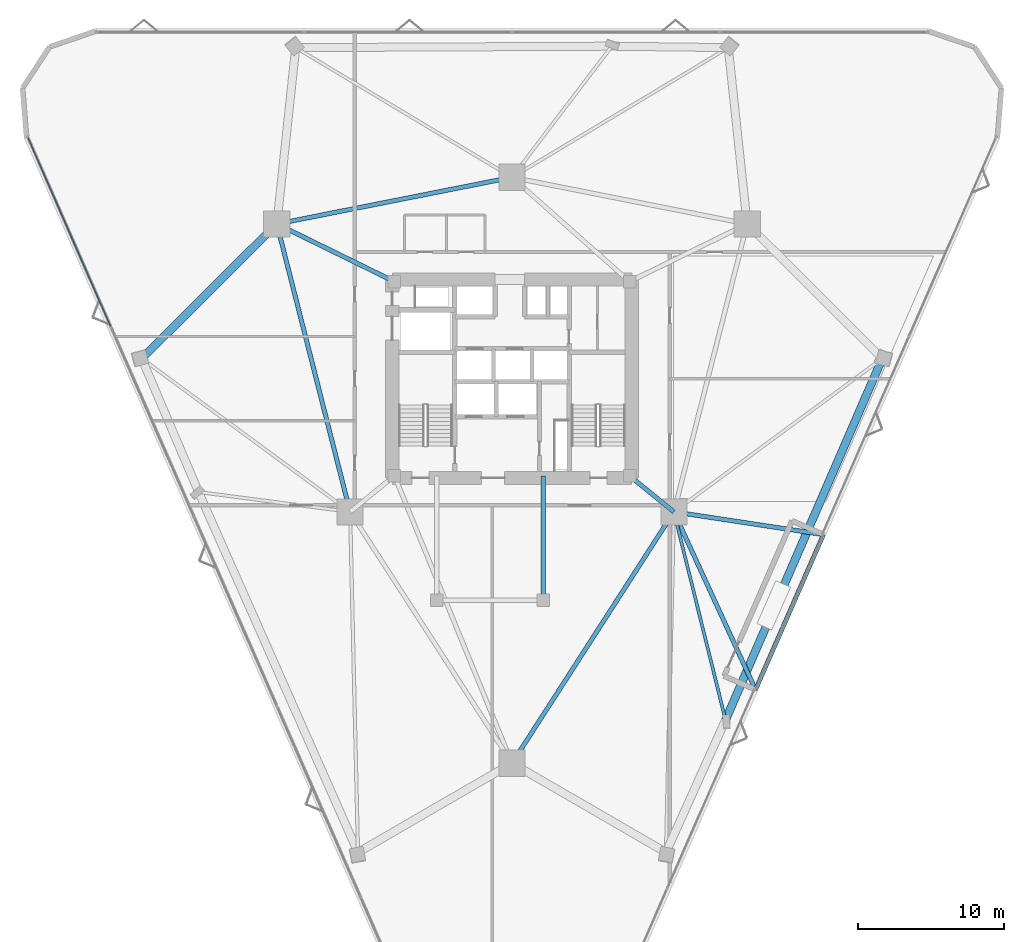
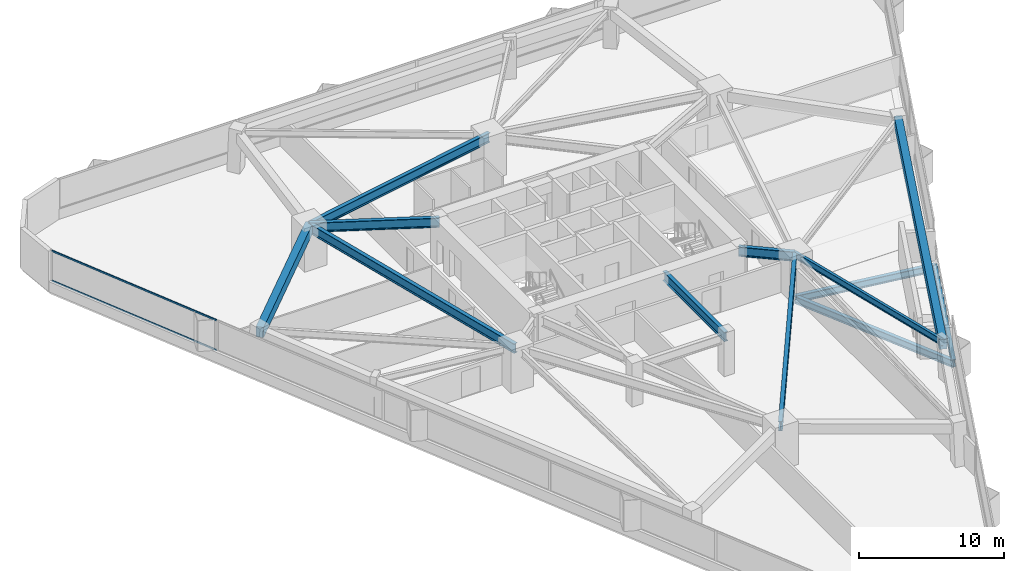
# One storey, part 5 of 16: 12 beams, 2 members, 1 element without a shape of its own.
"""IFC4 building model written with IfcOpenShell, lengths in metres."""

import ifcopenshell
import ifcopenshell.guid

model = None  # the IFC model being written
_history = None  # IfcOwnerHistory: only IFC2X3 demands one
_inside = {}  # id of a spatial element -> (the spatial element, [elements in it])
_under = {}  # id of a project, library or spatial element -> (it, [spatial elements below it])
_declared = {}  # id of a project -> (the project, [libraries it declares])
_typed = {}  # id of a type object -> (the type object, [elements of that type])
_made_of = {}  # id of a material, layer set ... -> (it, [elements and type objects made of it])


def new_model(schema):
    """Start an empty IFC model of exactly this schema.

    Asked for "IFC4X3", IfcOpenShell would pick the latest addendum, in which some entities
    have other attributes; the version numbers below select the first issue.
    IFC2X3 requires an IfcOwnerHistory on every rooted entity: one is made here for all.
    """
    global model, _history
    if schema == "IFC4X3":
        model = ifcopenshell.file(schema_version=(4, 3, 0, 0))
    else:
        model = ifcopenshell.file(schema=schema)
    _inside.clear()
    _under.clear()
    _declared.clear()
    _typed.clear()
    _made_of.clear()
    _history = None
    if model.schema == "IFC2X3":
        org = make("IfcOrganization", Name="unknown")
        user = make(
            "IfcPersonAndOrganization",
            ThePerson=make("IfcPerson", FamilyName="unknown"),
            TheOrganization=org,
        )
        app = make(
            "IfcApplication",
            ApplicationDeveloper=org,
            Version="unknown",
            ApplicationFullName="unknown",
            ApplicationIdentifier="unknown",
        )
        _history = make(
            "IfcOwnerHistory",
            OwningUser=user,
            OwningApplication=app,
            ChangeAction="ADDED",
            CreationDate=0,
        )
    return model


def make(cls, **values):
    """One entity of the class cls with the attributes given. An attribute that is None is left unset."""
    return model.create_entity(
        cls, **{name: value for name, value in values.items() if value is not None}
    )


def rooted(cls, **values):
    """An entity with a GlobalId (a new one), such as an element, a storey or a relation."""
    return make(cls, GlobalId=ifcopenshell.guid.new(), OwnerHistory=_history, **values)


def si_unit(unit_type, name, prefix=None):
    """IfcSIUnit, for example si_unit("LENGTHUNIT", "METRE", prefix="MILLI")."""
    return make("IfcSIUnit", UnitType=unit_type, Prefix=prefix, Name=name)


def assignment(units):
    """IfcUnitAssignment: the units of a project."""
    return None if units is None else make("IfcUnitAssignment", Units=units)


def point(xyz):
    """IfcCartesianPoint."""
    return None if xyz is None else make("IfcCartesianPoint", Coordinates=xyz)


def direction(xyz):
    """IfcDirection."""
    return None if xyz is None else make("IfcDirection", DirectionRatios=xyz)


def frame(location, z_axis=None, x_axis=None):
    """IfcAxis2Placement3D, a coordinate frame: its origin and axes. An axis left out is left unset."""
    return make(
        "IfcAxis2Placement3D",
        Location=point(location),
        Axis=direction(z_axis),
        RefDirection=direction(x_axis),
    )


def frame_2d(location, x_axis=None):
    """IfcAxis2Placement2D, a coordinate frame in the plane: its origin and x axis."""
    return make(
        "IfcAxis2Placement2D", Location=point(location), RefDirection=direction(x_axis)
    )


def origin():
    """The frame at (0, 0, 0) with its axes left unset."""
    return frame((0.0, 0.0, 0.0))


def origin_2d():
    """The frame at (0, 0) in the plane with its x axis left unset."""
    return frame_2d((0.0, 0.0))


def place(relative_to, where):
    """IfcLocalPlacement: puts the frame where relative to a parent placement (None: the world)."""
    return make(
        "IfcLocalPlacement", PlacementRelTo=relative_to, RelativePlacement=where
    )


def context(
    kind, dimensions, precision=None, world=None, true_north=None, identifier=None
):
    """IfcGeometricRepresentationContext, for example the 3D "Model" context."""
    return make(
        "IfcGeometricRepresentationContext",
        ContextIdentifier=identifier,
        ContextType=kind,
        CoordinateSpaceDimension=dimensions,
        Precision=precision,
        WorldCoordinateSystem=world,
        TrueNorth=true_north,
    )


def subcontext(parent, identifier, kind, view, scale=None):
    """IfcGeometricRepresentationSubContext, for example "Body" below "Model"."""
    return make(
        "IfcGeometricRepresentationSubContext",
        ContextIdentifier=identifier,
        ContextType=kind,
        ParentContext=parent,
        TargetScale=scale,
        TargetView=view,
    )


def project(units=None, contexts=None):
    """IfcProject with its units and contexts."""
    return rooted(
        "IfcProject",
        Name="project",
        RepresentationContexts=contexts,
        UnitsInContext=assignment(units),
    )


def spatial(cls, under=None, at=None, **own):
    """A site, building, storey or space (cls), placed at a placement, below another one or the project."""
    s = rooted(cls, ObjectPlacement=at, **own)
    if under is not None:
        _under.setdefault(under.id(), (under, []))[1].append(s)
    return s


def profile(cls, at=None, kind="AREA", **sizes):
    """A parametric profile (cls). Its sizes go by their IFC names, for example OverallWidth=200.0."""
    return make(cls, ProfileType=kind, Position=at, **sizes)


def rectangle(**sizes):
    """IfcRectangleProfileDef."""
    return profile("IfcRectangleProfileDef", **sizes)


def i_section(**sizes):
    """IfcIShapeProfileDef."""
    return profile("IfcIShapeProfileDef", **sizes)


def extrude(swept, where, along, depth):
    """IfcExtrudedAreaSolid: the profile swept, set in the frame where, extruded along a direction by depth."""
    return make(
        "IfcExtrudedAreaSolid",
        SweptArea=swept,
        Position=where,
        ExtrudedDirection=direction(along),
        Depth=depth,
    )


def shape(context_of_items, identifier, shape_type, items):
    """IfcShapeRepresentation: the items that make up one representation, for example the "Body"."""
    return make(
        "IfcShapeRepresentation",
        ContextOfItems=context_of_items,
        RepresentationIdentifier=identifier,
        RepresentationType=shape_type,
        Items=items,
    )


def material(Name=None, Category=None):
    """IfcMaterial."""
    return make("IfcMaterial", Name=Name, Category=Category)


def layer(
    of_material, thickness, ventilated=None, Name=None, Category=None, Priority=None
):
    """IfcMaterialLayer: one layer of a wall or slab, of a material (None: an air gap)."""
    return make(
        "IfcMaterialLayer",
        Material=of_material,
        LayerThickness=thickness,
        IsVentilated=ventilated,
        Name=Name,
        Category=Category,
        Priority=Priority,
    )


def layer_set(layers, Name=None):
    """IfcMaterialLayerSet."""
    return make("IfcMaterialLayerSet", MaterialLayers=layers, LayerSetName=Name)


def material_profile(
    of_material, cross_section, Name=None, Category=None, Priority=None
):
    """IfcMaterialProfile: a cross section and its material."""
    return make(
        "IfcMaterialProfile",
        Name=Name,
        Material=of_material,
        Profile=cross_section,
        Priority=Priority,
        Category=Category,
    )


def profile_set(profiles, Name=None, composite=None):
    """IfcMaterialProfileSet."""
    return make(
        "IfcMaterialProfileSet",
        Name=Name,
        MaterialProfiles=profiles,
        CompositeProfile=composite,
    )


def made_of(thing, what):
    """Note that an element or type object is made of a material, layer set ...; save() writes the relation."""
    if what is not None:
        _made_of.setdefault(what.id(), (what, []))[1].append(thing)
    return thing


def type_object(cls, material=None, **own):
    """A type object (cls), such as IfcWallType, which elements share."""
    return made_of(rooted(cls, **own), material)


def element(
    cls,
    number,
    at=None,
    inside=None,
    cuts=None,
    type_object=None,
    material=None,
    context=None,
    identifier="Body",
    shape_type=None,
    held_by="IfcProductDefinitionShape",
    body=None,
    shapes=None,
    **own,
):
    """One element of the class cls, such as IfcWall. Its Tag is "e" and its number.

    at: its placement. inside: the storey or other place that contains it. cuts: it is an
    opening in that element (IfcRelVoidsElement). A single representation is given by context,
    identifier, shape_type and body (its items); several are given by shapes. held_by: the class
    of the entity that holds the representations. save() writes the other relations.
    """
    e = rooted(cls, Tag="e%d" % number, ObjectPlacement=at, **own)
    if body is not None:
        shapes = [shape(context, identifier, shape_type, body)]
    if shapes is not None:
        e.Representation = make(held_by, Representations=shapes)
    if inside is not None:
        _inside.setdefault(inside.id(), (inside, []))[1].append(e)
    if cuts is not None:
        rooted(
            "IfcRelVoidsElement", RelatingBuildingElement=cuts, RelatedOpeningElement=e
        )
    if type_object is not None:
        _typed.setdefault(type_object.id(), (type_object, []))[1].append(e)
    return made_of(e, material)


def aggregate(whole, parts):
    """IfcRelAggregates: a whole, such as a stair, and the parts it consists of."""
    return rooted("IfcRelAggregates", RelatingObject=whole, RelatedObjects=parts)


def save(model, path):
    """Write the relations noted so far, then the file.

    IfcRelAggregates (storeys below a building ...), IfcRelContainedInSpatialStructure (elements
    in a storey), IfcRelDefinesByType, IfcRelAssociatesMaterial and IfcRelDeclares: one each for
    every whole, place, type object, material and project.
    """
    for whole, parts in _under.values():
        aggregate(whole, parts)
    for where, things in _inside.values():
        rooted(
            "IfcRelContainedInSpatialStructure",
            RelatedElements=things,
            RelatingStructure=where,
        )
    for kind, things in _typed.values():
        rooted("IfcRelDefinesByType", RelatedObjects=things, RelatingType=kind)
    for what, things in _made_of.values():
        rooted("IfcRelAssociatesMaterial", RelatedObjects=things, RelatingMaterial=what)
    for by, libraries in _declared.values():
        rooted("IfcRelDeclares", RelatingContext=by, RelatedDefinitions=libraries)
    model.write(path)


model = new_model("IFC4")

# Units and contexts
model_context = context("Model", 3, precision=1e-05, world=origin(), true_north=direction((0.0, 1.0)))
body_context = subcontext(model_context, "Body", "Model", "MODEL_VIEW")
ifc_project = project(units=[si_unit("LENGTHUNIT", "METRE"), si_unit("AREAUNIT", "SQUARE_METRE"), si_unit("VOLUMEUNIT", "CUBIC_METRE"), si_unit("PLANEANGLEUNIT", "RADIAN"), si_unit("MASSUNIT", "GRAM", prefix="KILO")], contexts=[model_context])

# Site, building, storey
site_placement = place(None, origin())
site = spatial("IfcSite", under=ifc_project, at=site_placement, CompositionType="ELEMENT")
building_placement = place(site_placement, origin())
building = spatial("IfcBuilding", under=site, at=building_placement, Name="Talyreon Biosciences Tower", CompositionType="ELEMENT")
storey_placement = place(building_placement, frame((0.0, 0.0, 44.699951171875)))
storey = spatial("IfcBuildingStorey", under=building, at=storey_placement, Name="L11", CompositionType="ELEMENT", Elevation=44.699951171875)

# Curtain wall, members
ifc_material_1 = material(Name="Thermally broken aluminium and low-E glazing", Category="aluminium")
ifc_layer = layer(ifc_material_1, 0.205078125)
ifc_layer_set = layer_set([ifc_layer], Name="Thermally broken aluminium and low-E glazing")
curtain_wall_type = type_object("IfcCurtainWallType", Name="CurtainWall_SkyGardenLoggia", PredefinedType="NOTDEFINED", material=ifc_layer_set)
curtain_wall_placement = place(storey_placement, origin())
curtain_wall = element("IfcCurtainWall", 1, at=curtain_wall_placement, inside=storey, type_object=curtain_wall_type, Name="L11 Unitised Curtain Wall FCW-L11-15", PredefinedType="NOTDEFINED")
ifc_material_2 = material(Name="Anodised thermally broken aluminium", Category="aluminium")
ifc_material_profile_1 = material_profile(ifc_material_2, rectangle(XDim=0.06494140625, YDim=0.139892578125, at=origin_2d()), Name="ALUM TRANSOM 65x140")
ifc_profile_set_1 = profile_set([ifc_material_profile_1], Name="Anodised thermally broken aluminium")
member_type = type_object("IfcMemberType", Name="CWTransom_65x140", PredefinedType="USERDEFINED", material=ifc_profile_set_1)
member_1_placement = place(storey_placement, frame((38.51025390625, 71.592529296875, 0.842529296875), z_axis=(-0.401093350316, 0.916037185016, 0.0), x_axis=(-0.916037185016, -0.401093350316, 0.0)))
member_1 = element("IfcMember", 2, at=member_1_placement, type_object=member_type, Name="CW7 transom 5.1", ObjectType="TRANSOM", PredefinedType="USERDEFINED", context=body_context, shape_type="SweptSolid", body=[
    extrude(rectangle(XDim=0.06494140625, YDim=0.139892578125, at=origin_2d()), origin(), (0.0, 0.0, 1.0), 14.088623046875),
])
member_2_placement = place(storey_placement, frame((38.51025390625, 71.592529296875, 3.342529296875), z_axis=(-0.401093350316, 0.916037185016, 0.0), x_axis=(-0.916037185016, -0.401093350316, 0.0)))
member_2 = element("IfcMember", 3, at=member_2_placement, type_object=member_type, Name="CW7 transom 5.2", ObjectType="TRANSOM", PredefinedType="USERDEFINED", context=body_context, shape_type="SweptSolid", body=[
    extrude(rectangle(XDim=0.06494140625, YDim=0.139892578125, at=origin_2d()), origin(), (0.0, 0.0, 1.0), 14.088623046875),
])
aggregate(curtain_wall, [member_1, member_2])

# Beams
ifc_material_3 = material(Name="Precast concrete C45/55", Category="concrete")
ifc_material_profile_2 = material_profile(ifc_material_3, rectangle(XDim=0.550048828125, YDim=0.85009765625, at=origin_2d()), Name="RCB 550x850")
ifc_profile_set_2 = profile_set([ifc_material_profile_2], Name="Precast concrete C45/55")
beam_type_1 = type_object("IfcBeamType", Name="ExpressedSpandrel_550x850", PredefinedType="SPANDREL", material=ifc_profile_set_2)
beam_1_placement = place(storey_placement, frame((80.624267578125, 44.62841796875, 2.949951171875), z_axis=(0.397705194492, 0.917513257819, 0.0), x_axis=(-0.917513257819, 0.397705194492, 0.0)))
element("IfcBeam", 4, at=beam_1_placement, inside=storey, type_object=beam_type_1, Name="L11 Expressed Horizontal Concrete Spandrel 03", PredefinedType="SPANDREL", context=body_context, shape_type="SweptSolid", body=[
    extrude(rectangle(XDim=0.550048828125, YDim=0.85009765625, at=origin_2d()), origin(), (0.0, 0.0, 1.0), 26.98291015625),
])
beam_2_placement = place(storey_placement, frame((49.897705078125, 78.5986328125, 2.949951171875), z_axis=(-0.708638280175, -0.705571957968, 0.0), x_axis=(0.705571957968, -0.708638280175, 0.0)))
element("IfcBeam", 5, at=beam_2_placement, inside=storey, type_object=beam_type_1, Name="L11 Expressed Horizontal Concrete Spandrel 09", PredefinedType="SPANDREL", context=body_context, shape_type="SweptSolid", body=[
    extrude(rectangle(XDim=0.550048828125, YDim=0.85009765625, at=origin_2d()), origin(), (0.0, 0.0, 1.0), 13.0576171875),
])
ifc_material_4 = material(Name="Steel SM355", Category="steel")
ifc_material_profile_3 = material_profile(ifc_material_4, i_section(OverallWidth=0.300048828125, OverallDepth=0.60009765625, WebThickness=0.015380859375, FlangeThickness=0.030029296875, FilletRadius=0.027099609375, at=origin_2d()), Name="HE600B")
ifc_profile_set_3 = profile_set([ifc_material_profile_3], Name="Steel SM355")
beam_type_2 = type_object("IfcBeamType", Name="SteelBeam_HE600B", PredefinedType="BEAM", material=ifc_profile_set_3)
beam_3_placement = place(storey_placement, frame((77.086181640625, 58.88037109375, -0.6298828125), z_axis=(0.417179006275, -0.90882433766, 0.0), x_axis=(0.90882433766, 0.417179006275, 0.0)))
element("IfcBeam", 6, at=beam_3_placement, inside=storey, type_object=beam_type_2, Name="L11 Sky-Garden Terrace Edge Outrigger 1", PredefinedType="BEAM", context=body_context, shape_type="SweptSolid", body=[
    extrude(i_section(OverallWidth=0.300048828125, OverallDepth=0.60009765625, WebThickness=0.015380859375, FlangeThickness=0.030029296875, FilletRadius=0.027099609375, at=origin_2d()), origin(), (0.0, 0.0, 1.0), 13.402587890625),
])
beam_4_placement = place(storey_placement, frame((77.086181640625, 58.88037109375, -0.6298828125), z_axis=(0.988678564539, -0.150048978741, 0.0), x_axis=(0.150048978741, 0.988678564539, 0.0)))
element("IfcBeam", 7, at=beam_4_placement, inside=storey, type_object=beam_type_2, Name="L11 Sky-Garden Terrace Edge Outrigger 2", PredefinedType="BEAM", context=body_context, shape_type="SweptSolid", body=[
    extrude(i_section(OverallWidth=0.300048828125, OverallDepth=0.60009765625, WebThickness=0.015380859375, FlangeThickness=0.030029296875, FilletRadius=0.027099609375, at=origin_2d()), origin(), (0.0, 0.0, 1.0), 10.361083984375),
])
beam_5_placement = place(storey_placement, frame((82.677490234375, 46.69970703125, -0.6298828125), z_axis=(0.401088215293, 0.916039433405, 0.0), x_axis=(-0.916039433405, 0.401088215293, 0.0)))
element("IfcBeam", 8, at=beam_5_placement, inside=storey, type_object=beam_type_2, Name="L11 Sky-Garden Terrace Outer Edge Beam", PredefinedType="BEAM", context=body_context, shape_type="SweptSolid", body=[
    extrude(i_section(OverallWidth=0.300048828125, OverallDepth=0.60009765625, WebThickness=0.015380859375, FlangeThickness=0.030029296875, FilletRadius=0.027099609375, at=origin_2d()), origin(), (0.0, 0.0, 1.0), 11.599853515625),
])
ifc_material_profile_4 = material_profile(ifc_material_4, i_section(OverallWidth=0.300048828125, OverallDepth=0.800048828125, WebThickness=0.017578125, FlangeThickness=0.032958984375, FilletRadius=0.030029296875, at=origin_2d()), Name="HE800B")
ifc_profile_set_4 = profile_set([ifc_material_profile_4], Name="Steel SM355")
beam_type_3 = type_object("IfcBeamType", Name="SteelGirder_HE800B", PredefinedType="BEAM", material=ifc_profile_set_4)
beam_6_placement = place(storey_placement, frame((66.0, 41.6669921875, 2.97509765625), z_axis=(0.541463723609, 0.840724114092, 0.0), x_axis=(-0.840724114092, 0.541463723609, 0.0)))
element("IfcBeam", 9, at=beam_6_placement, inside=storey, type_object=beam_type_3, Name="L11 Mega-Ring Girder 1", PredefinedType="BEAM", context=body_context, shape_type="SweptSolid", body=[
    extrude(i_section(OverallWidth=0.300048828125, OverallDepth=0.800048828125, WebThickness=0.017578125, FlangeThickness=0.032958984375, FilletRadius=0.030029296875, at=origin_2d()), origin(), (0.0, 0.0, 1.0), 20.474365234375),
])
beam_7_placement = place(storey_placement, frame((66.0, 81.788818359375, 2.97509765625), z_axis=(-0.980933730698, -0.194342522311, 0.0), x_axis=(0.194342522311, -0.980933730698, 0.0)))
element("IfcBeam", 10, at=beam_7_placement, inside=storey, type_object=beam_type_3, Name="L11 Mega-Ring Girder 4", PredefinedType="BEAM", context=body_context, shape_type="SweptSolid", body=[
    extrude(i_section(OverallWidth=0.300048828125, OverallDepth=0.800048828125, WebThickness=0.017578125, FlangeThickness=0.032958984375, FilletRadius=0.030029296875, at=origin_2d()), origin(), (0.0, 0.0, 1.0), 16.415283203125),
])
beam_8_placement = place(storey_placement, frame((49.897705078125, 78.5986328125, 2.97509765625), z_axis=(0.246537082299, -0.969133358755, 0.0), x_axis=(0.969133358755, 0.246537082299, 0.0)))
element("IfcBeam", 11, at=beam_8_placement, inside=storey, type_object=beam_type_3, Name="L11 Mega-Ring Girder 5", PredefinedType="BEAM", context=body_context, shape_type="SweptSolid", body=[
    extrude(i_section(OverallWidth=0.300048828125, OverallDepth=0.800048828125, WebThickness=0.017578125, FlangeThickness=0.032958984375, FilletRadius=0.030029296875, at=origin_2d()), origin(), (0.0, 0.0, 1.0), 20.34619140625),
])
beam_9_placement = place(storey_placement, frame((74.050048828125, 61.35009765625, 2.97509765625), z_axis=(0.775755154013, -0.631034025249, 0.0), x_axis=(0.631034025249, 0.775755154013, 0.0)))
element("IfcBeam", 12, at=beam_9_placement, inside=storey, type_object=beam_type_3, Name="L11 Radial Primary Girder 2", PredefinedType="BEAM", context=body_context, shape_type="SweptSolid", body=[
    extrude(i_section(OverallWidth=0.300048828125, OverallDepth=0.800048828125, WebThickness=0.017578125, FlangeThickness=0.032958984375, FilletRadius=0.030029296875, at=origin_2d()), origin(), (0.0, 0.0, 1.0), 3.913818359375),
])
beam_10_placement = place(storey_placement, frame((57.949951171875, 74.64990234375, 2.97509765625), z_axis=(-0.897852360314, 0.440296648952, 0.0), x_axis=(-0.440296648952, -0.897852360314, 0.0)))
element("IfcBeam", 13, at=beam_10_placement, inside=storey, type_object=beam_type_3, Name="L11 Radial Primary Girder 5", PredefinedType="BEAM", context=body_context, shape_type="SweptSolid", body=[
    extrude(i_section(OverallWidth=0.300048828125, OverallDepth=0.800048828125, WebThickness=0.017578125, FlangeThickness=0.032958984375, FilletRadius=0.030029296875, at=origin_2d()), origin(), (0.0, 0.0, 1.0), 8.96826171875),
])
beam_11_placement = place(storey_placement, frame((68.14990234375, 52.840087890625, 2.97509765625), z_axis=(0.0, 1.0, 0.0), x_axis=(-1.0, 0.0, 0.0)))
element("IfcBeam", 14, at=beam_11_placement, inside=storey, type_object=beam_type_3, Name="L11 Crown Shaft Tie Girder E", PredefinedType="BEAM", context=body_context, shape_type="SweptSolid", body=[
    extrude(i_section(OverallWidth=0.300048828125, OverallDepth=0.800048828125, WebThickness=0.017578125, FlangeThickness=0.032958984375, FilletRadius=0.030029296875, at=origin_2d()), origin(), (0.0, 0.0, 1.0), 8.510009765625),
])
ifc_material_profile_5 = material_profile(ifc_material_4, i_section(OverallWidth=0.2099609375, OverallDepth=0.550048828125, WebThickness=0.010986328125, FlangeThickness=0.01708984375, FilletRadius=0.02392578125, at=origin_2d()), Name="IPE550")
ifc_profile_set_5 = profile_set([ifc_material_profile_5], Name="Steel SM355")
beam_type_4 = type_object("IfcBeamType", Name="SteelJoist_IPE550", PredefinedType="JOIST", material=ifc_profile_set_5)
beam_12_placement = place(storey_placement, frame((77.086181640625, 58.88037109375, 3.10009765625), z_axis=(0.240939232338, -0.970540203351, 0.0), x_axis=(0.970540203351, 0.240939232338, 0.0)))
element("IfcBeam", 15, at=beam_12_placement, inside=storey, type_object=beam_type_4, Name="L11 Radial Composite Floor Joist PL-SE", PredefinedType="JOIST", context=body_context, shape_type="SweptSolid", body=[
    extrude(i_section(OverallWidth=0.2099609375, OverallDepth=0.550048828125, WebThickness=0.010986328125, FlangeThickness=0.01708984375, FilletRadius=0.02392578125, at=origin_2d()), origin(), (0.0, 0.0, 1.0), 14.6845703125),
])

save(model, "model.ifc")
